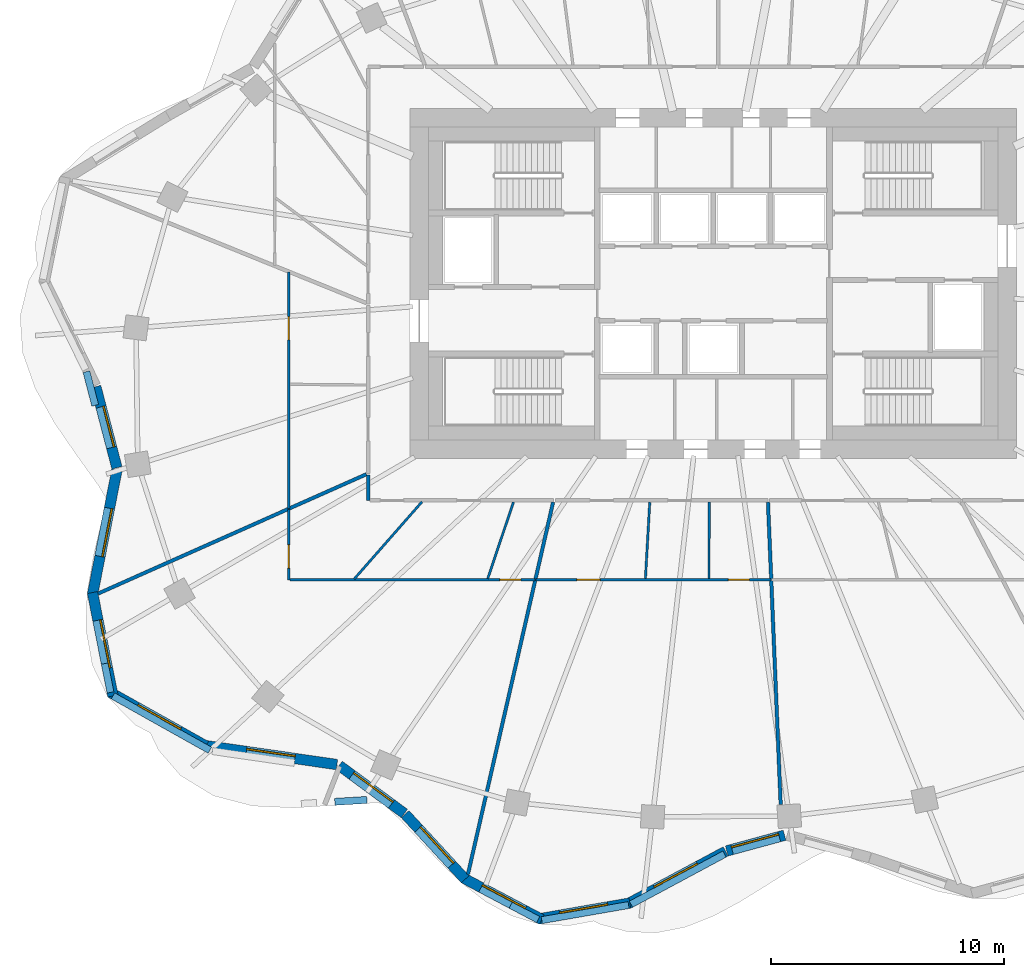
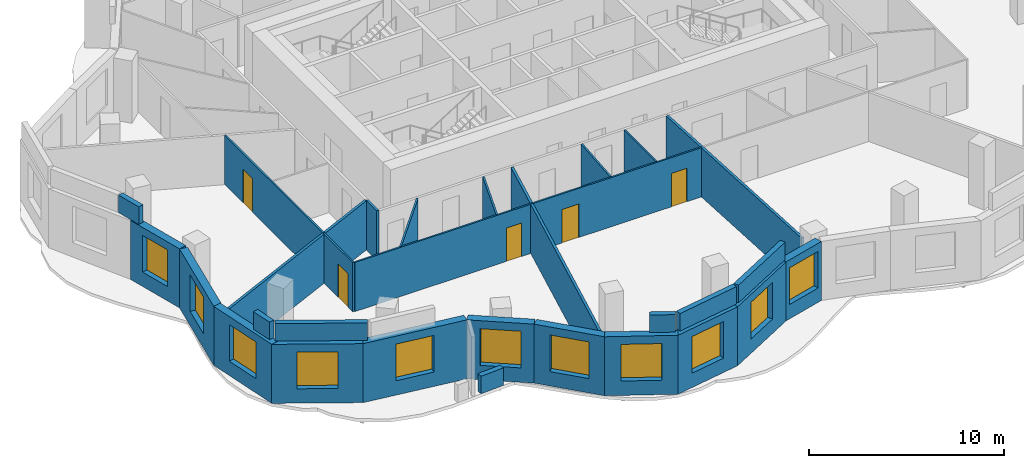
# One storey, part 3 of 10: 30 walls, 11 windows, 5 doors, 16 openings.
"""IFC4 building model written with IfcOpenShell, lengths in metres."""

import ifcopenshell
import ifcopenshell.guid

model = None  # the IFC model being written
_history = None  # IfcOwnerHistory: only IFC2X3 demands one
_inside = {}  # id of a spatial element -> (the spatial element, [elements in it])
_under = {}  # id of a project, library or spatial element -> (it, [spatial elements below it])
_declared = {}  # id of a project -> (the project, [libraries it declares])
_typed = {}  # id of a type object -> (the type object, [elements of that type])
_made_of = {}  # id of a material, layer set ... -> (it, [elements and type objects made of it])


def new_model(schema):
    """Start an empty IFC model of exactly this schema.

    Asked for "IFC4X3", IfcOpenShell would pick the latest addendum, in which some entities
    have other attributes; the version numbers below select the first issue.
    IFC2X3 requires an IfcOwnerHistory on every rooted entity: one is made here for all.
    """
    global model, _history
    if schema == "IFC4X3":
        model = ifcopenshell.file(schema_version=(4, 3, 0, 0))
    else:
        model = ifcopenshell.file(schema=schema)
    _inside.clear()
    _under.clear()
    _declared.clear()
    _typed.clear()
    _made_of.clear()
    _history = None
    if model.schema == "IFC2X3":
        org = make("IfcOrganization", Name="unknown")
        user = make(
            "IfcPersonAndOrganization",
            ThePerson=make("IfcPerson", FamilyName="unknown"),
            TheOrganization=org,
        )
        app = make(
            "IfcApplication",
            ApplicationDeveloper=org,
            Version="unknown",
            ApplicationFullName="unknown",
            ApplicationIdentifier="unknown",
        )
        _history = make(
            "IfcOwnerHistory",
            OwningUser=user,
            OwningApplication=app,
            ChangeAction="ADDED",
            CreationDate=0,
        )
    return model


def make(cls, **values):
    """One entity of the class cls with the attributes given. An attribute that is None is left unset."""
    return model.create_entity(
        cls, **{name: value for name, value in values.items() if value is not None}
    )


def rooted(cls, **values):
    """An entity with a GlobalId (a new one), such as an element, a storey or a relation."""
    return make(cls, GlobalId=ifcopenshell.guid.new(), OwnerHistory=_history, **values)


def si_unit(unit_type, name, prefix=None):
    """IfcSIUnit, for example si_unit("LENGTHUNIT", "METRE", prefix="MILLI")."""
    return make("IfcSIUnit", UnitType=unit_type, Prefix=prefix, Name=name)


def assignment(units):
    """IfcUnitAssignment: the units of a project."""
    return None if units is None else make("IfcUnitAssignment", Units=units)


def point(xyz):
    """IfcCartesianPoint."""
    return None if xyz is None else make("IfcCartesianPoint", Coordinates=xyz)


def direction(xyz):
    """IfcDirection."""
    return None if xyz is None else make("IfcDirection", DirectionRatios=xyz)


def frame(location, z_axis=None, x_axis=None):
    """IfcAxis2Placement3D, a coordinate frame: its origin and axes. An axis left out is left unset."""
    return make(
        "IfcAxis2Placement3D",
        Location=point(location),
        Axis=direction(z_axis),
        RefDirection=direction(x_axis),
    )


def frame_2d(location, x_axis=None):
    """IfcAxis2Placement2D, a coordinate frame in the plane: its origin and x axis."""
    return make(
        "IfcAxis2Placement2D", Location=point(location), RefDirection=direction(x_axis)
    )


def origin():
    """The frame at (0, 0, 0) with its axes left unset."""
    return frame((0.0, 0.0, 0.0))


def place(relative_to, where):
    """IfcLocalPlacement: puts the frame where relative to a parent placement (None: the world)."""
    return make(
        "IfcLocalPlacement", PlacementRelTo=relative_to, RelativePlacement=where
    )


def context(
    kind, dimensions, precision=None, world=None, true_north=None, identifier=None
):
    """IfcGeometricRepresentationContext, for example the 3D "Model" context."""
    return make(
        "IfcGeometricRepresentationContext",
        ContextIdentifier=identifier,
        ContextType=kind,
        CoordinateSpaceDimension=dimensions,
        Precision=precision,
        WorldCoordinateSystem=world,
        TrueNorth=true_north,
    )


def subcontext(parent, identifier, kind, view, scale=None):
    """IfcGeometricRepresentationSubContext, for example "Body" below "Model"."""
    return make(
        "IfcGeometricRepresentationSubContext",
        ContextIdentifier=identifier,
        ContextType=kind,
        ParentContext=parent,
        TargetScale=scale,
        TargetView=view,
    )


def project(units=None, contexts=None):
    """IfcProject with its units and contexts."""
    return rooted(
        "IfcProject",
        Name="project",
        RepresentationContexts=contexts,
        UnitsInContext=assignment(units),
    )


def spatial(cls, under=None, at=None, **own):
    """A site, building, storey or space (cls), placed at a placement, below another one or the project."""
    s = rooted(cls, ObjectPlacement=at, **own)
    if under is not None:
        _under.setdefault(under.id(), (under, []))[1].append(s)
    return s


def profile(cls, at=None, kind="AREA", **sizes):
    """A parametric profile (cls). Its sizes go by their IFC names, for example OverallWidth=200.0."""
    return make(cls, ProfileType=kind, Position=at, **sizes)


def rectangle(**sizes):
    """IfcRectangleProfileDef."""
    return profile("IfcRectangleProfileDef", **sizes)


def extrude(swept, where, along, depth):
    """IfcExtrudedAreaSolid: the profile swept, set in the frame where, extruded along a direction by depth."""
    return make(
        "IfcExtrudedAreaSolid",
        SweptArea=swept,
        Position=where,
        ExtrudedDirection=direction(along),
        Depth=depth,
    )


def shape(context_of_items, identifier, shape_type, items):
    """IfcShapeRepresentation: the items that make up one representation, for example the "Body"."""
    return make(
        "IfcShapeRepresentation",
        ContextOfItems=context_of_items,
        RepresentationIdentifier=identifier,
        RepresentationType=shape_type,
        Items=items,
    )


def material(Name=None, Category=None):
    """IfcMaterial."""
    return make("IfcMaterial", Name=Name, Category=Category)


def layer(
    of_material, thickness, ventilated=None, Name=None, Category=None, Priority=None
):
    """IfcMaterialLayer: one layer of a wall or slab, of a material (None: an air gap)."""
    return make(
        "IfcMaterialLayer",
        Material=of_material,
        LayerThickness=thickness,
        IsVentilated=ventilated,
        Name=Name,
        Category=Category,
        Priority=Priority,
    )


def layer_set(layers, Name=None):
    """IfcMaterialLayerSet."""
    return make("IfcMaterialLayerSet", MaterialLayers=layers, LayerSetName=Name)


def made_of(thing, what):
    """Note that an element or type object is made of a material, layer set ...; save() writes the relation."""
    if what is not None:
        _made_of.setdefault(what.id(), (what, []))[1].append(thing)
    return thing


def type_object(cls, material=None, **own):
    """A type object (cls), such as IfcWallType, which elements share."""
    return made_of(rooted(cls, **own), material)


def element(
    cls,
    number,
    at=None,
    inside=None,
    cuts=None,
    type_object=None,
    material=None,
    context=None,
    identifier="Body",
    shape_type=None,
    held_by="IfcProductDefinitionShape",
    body=None,
    shapes=None,
    **own,
):
    """One element of the class cls, such as IfcWall. Its Tag is "e" and its number.

    at: its placement. inside: the storey or other place that contains it. cuts: it is an
    opening in that element (IfcRelVoidsElement). A single representation is given by context,
    identifier, shape_type and body (its items); several are given by shapes. held_by: the class
    of the entity that holds the representations. save() writes the other relations.
    """
    e = rooted(cls, Tag="e%d" % number, ObjectPlacement=at, **own)
    if body is not None:
        shapes = [shape(context, identifier, shape_type, body)]
    if shapes is not None:
        e.Representation = make(held_by, Representations=shapes)
    if inside is not None:
        _inside.setdefault(inside.id(), (inside, []))[1].append(e)
    if cuts is not None:
        rooted(
            "IfcRelVoidsElement", RelatingBuildingElement=cuts, RelatedOpeningElement=e
        )
    if type_object is not None:
        _typed.setdefault(type_object.id(), (type_object, []))[1].append(e)
    return made_of(e, material)


def fill(opening, filler):
    """IfcRelFillsElement: the door or window that sits in an opening."""
    return rooted(
        "IfcRelFillsElement",
        RelatingOpeningElement=opening,
        RelatedBuildingElement=filler,
    )


def aggregate(whole, parts):
    """IfcRelAggregates: a whole, such as a stair, and the parts it consists of."""
    return rooted("IfcRelAggregates", RelatingObject=whole, RelatedObjects=parts)


def save(model, path):
    """Write the relations noted so far, then the file.

    IfcRelAggregates (storeys below a building ...), IfcRelContainedInSpatialStructure (elements
    in a storey), IfcRelDefinesByType, IfcRelAssociatesMaterial and IfcRelDeclares: one each for
    every whole, place, type object, material and project.
    """
    for whole, parts in _under.values():
        aggregate(whole, parts)
    for where, things in _inside.values():
        rooted(
            "IfcRelContainedInSpatialStructure",
            RelatedElements=things,
            RelatingStructure=where,
        )
    for kind, things in _typed.values():
        rooted("IfcRelDefinesByType", RelatedObjects=things, RelatingType=kind)
    for what, things in _made_of.values():
        rooted("IfcRelAssociatesMaterial", RelatedObjects=things, RelatingMaterial=what)
    for by, libraries in _declared.values():
        rooted("IfcRelDeclares", RelatingContext=by, RelatedDefinitions=libraries)
    model.write(path)


model = new_model("IFC4")

# Units and contexts
model_context = context("Model", 3, precision=1e-05, world=origin(), true_north=direction((0.0, 1.0)))
body_context = subcontext(model_context, "Body", "Model", "MODEL_VIEW")
ifc_project = project(units=[si_unit("LENGTHUNIT", "METRE"), si_unit("AREAUNIT", "SQUARE_METRE"), si_unit("VOLUMEUNIT", "CUBIC_METRE"), si_unit("PLANEANGLEUNIT", "RADIAN"), si_unit("MASSUNIT", "GRAM", prefix="KILO")], contexts=[model_context])

# Site, building, storey
site_placement = place(None, origin())
site = spatial("IfcSite", under=ifc_project, at=site_placement, CompositionType="ELEMENT")
building_placement = place(site_placement, origin())
building = spatial("IfcBuilding", under=site, at=building_placement, Name="Rubra Terraces Tower", CompositionType="ELEMENT")
storey_placement = place(building_placement, frame((0.0, 0.0, 256.5)))
storey = spatial("IfcBuildingStorey", under=building, at=storey_placement, Name="L63", CompositionType="ELEMENT", Elevation=256.5)

# Wall
ifc_material_1 = material(Name="Brick masonry red-brown", Category="masonry")
ifc_layer_1 = layer(ifc_material_1, 0.300048828125)
ifc_layer_set_1 = layer_set([ifc_layer_1], Name="Brick masonry red-brown")
wall_type_1 = type_object("IfcWallType", Name="Brick edge guard 300", PredefinedType="PARAPET", material=ifc_layer_set_1)
wall_1_placement = place(storey_placement, frame((-14.84912109375, -17.634033203125, 0.0), z_axis=(0.0, 0.0, 1.0), x_axis=(-0.998215844774, -0.059708686491, 0.0)))
element("IfcWall", 1, at=wall_1_placement, inside=storey, type_object=wall_type_1, Name="Edge guard L63.1", PredefinedType="PARAPET", context=body_context, shape_type="SweptSolid", body=[
    extrude(rectangle(XDim=1.3779296875, YDim=0.300048828125, at=frame_2d((0.68896484375, 0.0))), origin(), (0.0, 0.0, 1.0), 1.10009765625),
])

# Wall, opening, window
ifc_layer_2 = layer(ifc_material_1, 0.449951171875)
ifc_layer_set_2 = layer_set([ifc_layer_2], Name="Brick masonry red-brown")
wall_type_2 = type_object("IfcWallType", Name="Brick facade wall 450", PredefinedType="SOLIDWALL", material=ifc_layer_set_2)
wall_2_placement = place(storey_placement, frame((-26.469482421875, 0.0791015625, 0.0), z_axis=(0.0, 0.0, 1.0), x_axis=(0.252446779859, -0.967610780913, 0.0)))
wall_2 = element("IfcWall", 2, at=wall_2_placement, inside=storey, type_object=wall_type_2, Name="Facade wall L63 bay 21", PredefinedType="SOLIDWALL", context=body_context, shape_type="SweptSolid", body=[
    extrude(rectangle(XDim=3.5947265625, YDim=0.449951171875, at=frame_2d((1.79736328125, 0.0))), origin(), (0.0, 0.0, 1.0), 3.699951171875),
])
opening_1_placement = place(wall_2_placement, frame((0.897216796875, 0.0, 0.89990234375)))
opening_1 = element("IfcOpeningElement", 3, at=opening_1_placement, cuts=wall_2, Name="Opening W6B", PredefinedType="OPENING", context=body_context, shape_type="SweptSolid", body=[
    extrude(rectangle(XDim=1.800048828125, YDim=2.300048828125, at=frame_2d((0.89990234375, 1.14990234375))), frame((0.0, 0.23486328125, 0.0), z_axis=(0.0, -1.0, 0.0), x_axis=(1.0, 0.0, 0.0)), (0.0, 0.0, 1.0), 0.469970703125),
])
ifc_material_2 = material(Name="Clear glass in aluminium frame", Category="aluminium")
window_type_1 = type_object("IfcWindowType", Name="Fixed deep-set window at wind fin tall storey 1800 x 2300", PartitioningType="SINGLE_PANEL", PredefinedType="WINDOW", material=ifc_material_2)
window_1_placement = place(opening_1_placement, origin())
window_1 = element("IfcWindow", 4, at=window_1_placement, inside=storey, type_object=window_type_1, Name="Window L63 bay 21", OverallHeight=2.300048828125, OverallWidth=1.800048828125, PartitioningType="SINGLE_PANEL", PredefinedType="WINDOW", context=body_context, shape_type="SweptSolid", body=[
    extrude(rectangle(XDim=1.800048828125, YDim=2.300048828125, at=frame_2d((0.89990234375, 1.14990234375))), frame((0.0, 0.135009765625, 0.0), z_axis=(0.0, -1.0, 0.0), x_axis=(1.0, 0.0, 0.0)), (0.0, 0.0, 1.0), 0.06005859375),
])
fill(opening_1, window_1)

wall_3_placement = place(storey_placement, frame((-25.561279296875, -3.490478515625, 0.0), z_axis=(0.0, 0.0, 1.0), x_axis=(-0.192494026297, -0.981298145234, 0.0)))
wall_3 = element("IfcWall", 5, at=wall_3_placement, inside=storey, type_object=wall_type_2, Name="Facade wall L63 bay 22", PredefinedType="SOLIDWALL", context=body_context, shape_type="SweptSolid", body=[
    extrude(rectangle(XDim=5.446044921875, YDim=0.449951171875, at=frame_2d((2.72314453125, 0.0))), origin(), (0.0, 0.0, 1.0), 3.699951171875),
])
opening_2_placement = place(wall_3_placement, frame((1.673095703125, 0.0, 0.89990234375)))
opening_2 = element("IfcOpeningElement", 6, at=opening_2_placement, cuts=wall_3, Name="Opening W1B", PredefinedType="OPENING", context=body_context, shape_type="SweptSolid", body=[
    extrude(rectangle(XDim=2.10009765625, YDim=2.300048828125, at=frame_2d((1.050048828125, 1.14990234375))), frame((0.0, 0.23486328125, 0.0), z_axis=(0.0, -1.0, 0.0), x_axis=(1.0, 0.0, 0.0)), (0.0, 0.0, 1.0), 0.469970703125),
])
window_type_2 = type_object("IfcWindowType", Name="Fixed deep-set window tall storey 2100 x 2300", PartitioningType="SINGLE_PANEL", PredefinedType="WINDOW", material=ifc_material_2)
window_2_placement = place(opening_2_placement, origin())
window_2 = element("IfcWindow", 7, at=window_2_placement, inside=storey, type_object=window_type_2, Name="Window L63 bay 22", OverallHeight=2.300048828125, OverallWidth=2.10009765625, PartitioningType="SINGLE_PANEL", PredefinedType="WINDOW", context=body_context, shape_type="SweptSolid", body=[
    extrude(rectangle(XDim=2.10009765625, YDim=2.300048828125, at=frame_2d((1.050048828125, 1.14990234375))), frame((0.0, 0.135009765625, 0.0), z_axis=(0.0, -1.0, 0.0), x_axis=(1.0, 0.0, 0.0)), (0.0, 0.0, 1.0), 0.06005859375),
])
fill(opening_2, window_2)

wall_4_placement = place(storey_placement, frame((-26.609619140625, -8.747802734375, 0.0), z_axis=(0.0, 0.0, 1.0), x_axis=(0.193923166402, -0.981016720312, 0.0)))
wall_4 = element("IfcWall", 8, at=wall_4_placement, inside=storey, type_object=wall_type_2, Name="Facade wall L63 bay 23", PredefinedType="SOLIDWALL", context=body_context, shape_type="SweptSolid", body=[
    extrude(rectangle(XDim=4.518310546875, YDim=0.449951171875, at=frame_2d((2.25927734375, 0.0))), origin(), (0.0, 0.0, 1.0), 3.699951171875),
])
opening_3_placement = place(wall_4_placement, frame((1.209228515625, 0.0, 0.89990234375)))
opening_3 = element("IfcOpeningElement", 9, at=opening_3_placement, cuts=wall_4, Name="Opening W1B", PredefinedType="OPENING", context=body_context, shape_type="SweptSolid", body=[
    extrude(rectangle(XDim=2.10009765625, YDim=2.300048828125, at=frame_2d((1.050048828125, 1.14990234375))), frame((0.0, 0.23486328125, 0.0), z_axis=(0.0, -1.0, 0.0), x_axis=(1.0, 0.0, 0.0)), (0.0, 0.0, 1.0), 0.469970703125),
])
window_3_placement = place(opening_3_placement, origin())
window_3 = element("IfcWindow", 10, at=window_3_placement, inside=storey, type_object=window_type_2, Name="Window L63 bay 23", OverallHeight=2.300048828125, OverallWidth=2.10009765625, PartitioningType="SINGLE_PANEL", PredefinedType="WINDOW", context=body_context, shape_type="SweptSolid", body=[
    extrude(rectangle(XDim=2.10009765625, YDim=2.300048828125, at=frame_2d((1.050048828125, 1.14990234375))), frame((0.0, 0.135009765625, 0.0), z_axis=(0.0, -1.0, 0.0), x_axis=(1.0, 0.0, 0.0)), (0.0, 0.0, 1.0), 0.06005859375),
])
fill(opening_3, window_3)

wall_5_placement = place(storey_placement, frame((-25.843994140625, -13.027587890625, 0.0), z_axis=(0.0, 0.0, 1.0), x_axis=(0.872346398261, -0.488888291373, 0.0)))
wall_5 = element("IfcWall", 11, at=wall_5_placement, inside=storey, type_object=wall_type_2, Name="Facade wall L63 bay 24", PredefinedType="SOLIDWALL", context=body_context, shape_type="SweptSolid", body=[
    extrude(rectangle(XDim=4.696044921875, YDim=0.449951171875, at=frame_2d((2.34814453125, 0.0))), origin(), (0.0, 0.0, 1.0), 3.699951171875),
])
opening_4_placement = place(wall_5_placement, frame((1.298095703125, 0.0, 0.89990234375)))
opening_4 = element("IfcOpeningElement", 12, at=opening_4_placement, cuts=wall_5, Name="Opening W1B", PredefinedType="OPENING", context=body_context, shape_type="SweptSolid", body=[
    extrude(rectangle(XDim=2.10009765625, YDim=2.300048828125, at=frame_2d((1.050048828125, 1.14990234375))), frame((0.0, 0.23486328125, 0.0), z_axis=(0.0, -1.0, 0.0), x_axis=(1.0, 0.0, 0.0)), (0.0, 0.0, 1.0), 0.469970703125),
])
window_4_placement = place(opening_4_placement, origin())
window_4 = element("IfcWindow", 13, at=window_4_placement, inside=storey, type_object=window_type_2, Name="Window L63 bay 24", OverallHeight=2.300048828125, OverallWidth=2.10009765625, PartitioningType="SINGLE_PANEL", PredefinedType="WINDOW", context=body_context, shape_type="SweptSolid", body=[
    extrude(rectangle(XDim=2.10009765625, YDim=2.300048828125, at=frame_2d((1.050048828125, 1.14990234375))), frame((0.0, 0.135009765625, 0.0), z_axis=(0.0, -1.0, 0.0), x_axis=(1.0, 0.0, 0.0)), (0.0, 0.0, 1.0), 0.06005859375),
])
fill(opening_4, window_4)

wall_6_placement = place(storey_placement, frame((-21.8251953125, -15.297119140625, 0.0), z_axis=(0.0, 0.0, 1.0), x_axis=(0.98971474215, -0.143054986527, 0.0)))
wall_6 = element("IfcWall", 14, at=wall_6_placement, inside=storey, type_object=wall_type_2, Name="Facade wall L63 bay 25", PredefinedType="SOLIDWALL", context=body_context, shape_type="SweptSolid", body=[
    extrude(rectangle(XDim=5.7529296875, YDim=0.449951171875, at=frame_2d((2.87646484375, 0.0))), origin(), (0.0, 0.0, 1.0), 3.699951171875),
])
opening_5_placement = place(wall_6_placement, frame((1.826416015625, 0.0, 0.89990234375)))
opening_5 = element("IfcOpeningElement", 15, at=opening_5_placement, cuts=wall_6, Name="Opening W1B", PredefinedType="OPENING", context=body_context, shape_type="SweptSolid", body=[
    extrude(rectangle(XDim=2.10009765625, YDim=2.300048828125, at=frame_2d((1.050048828125, 1.14990234375))), frame((0.0, 0.23486328125, 0.0), z_axis=(0.0, -1.0, 0.0), x_axis=(1.0, 0.0, 0.0)), (0.0, 0.0, 1.0), 0.469970703125),
])
window_5_placement = place(opening_5_placement, origin())
window_5 = element("IfcWindow", 16, at=window_5_placement, inside=storey, type_object=window_type_2, Name="Window L63 bay 25", OverallHeight=2.300048828125, OverallWidth=2.10009765625, PartitioningType="SINGLE_PANEL", PredefinedType="WINDOW", context=body_context, shape_type="SweptSolid", body=[
    extrude(rectangle(XDim=2.10009765625, YDim=2.300048828125, at=frame_2d((1.050048828125, 1.14990234375))), frame((0.0, 0.135009765625, 0.0), z_axis=(0.0, -1.0, 0.0), x_axis=(1.0, 0.0, 0.0)), (0.0, 0.0, 1.0), 0.06005859375),
])
fill(opening_5, window_5)

wall_7_placement = place(storey_placement, frame((-16.03564453125, -16.15771484375, 0.0), z_axis=(0.0, 0.0, 1.0), x_axis=(0.805181432967, -0.593028549064, 0.0)))
wall_7 = element("IfcWall", 17, at=wall_7_placement, inside=storey, type_object=wall_type_2, Name="Facade wall L63 bay 26", PredefinedType="SOLIDWALL", context=body_context, shape_type="SweptSolid", body=[
    extrude(rectangle(XDim=3.468505859375, YDim=0.449951171875, at=frame_2d((1.734375, 0.0))), origin(), (0.0, 0.0, 1.0), 3.699951171875),
])
opening_6_placement = place(wall_7_placement, frame((0.684326171875, 0.0, 0.89990234375)))
opening_6 = element("IfcOpeningElement", 18, at=opening_6_placement, cuts=wall_7, Name="Opening W1B", PredefinedType="OPENING", context=body_context, shape_type="SweptSolid", body=[
    extrude(rectangle(XDim=2.10009765625, YDim=2.300048828125, at=frame_2d((1.050048828125, 1.14990234375))), frame((0.0, 0.23486328125, 0.0), z_axis=(0.0, -1.0, 0.0), x_axis=(1.0, 0.0, 0.0)), (0.0, 0.0, 1.0), 0.469970703125),
])
window_6_placement = place(opening_6_placement, origin())
window_6 = element("IfcWindow", 19, at=window_6_placement, inside=storey, type_object=window_type_2, Name="Window L63 bay 26", OverallHeight=2.300048828125, OverallWidth=2.10009765625, PartitioningType="SINGLE_PANEL", PredefinedType="WINDOW", context=body_context, shape_type="SweptSolid", body=[
    extrude(rectangle(XDim=2.10009765625, YDim=2.300048828125, at=frame_2d((1.050048828125, 1.14990234375))), frame((0.0, 0.135009765625, 0.0), z_axis=(0.0, -1.0, 0.0), x_axis=(1.0, 0.0, 0.0)), (0.0, 0.0, 1.0), 0.06005859375),
])
fill(opening_6, window_6)

wall_8_placement = place(storey_placement, frame((-13.20947265625, -18.242919921875, 0.0), z_axis=(0.0, 0.0, 1.0), x_axis=(0.677612152497, -0.735419452278, 0.0)))
wall_8 = element("IfcWall", 20, at=wall_8_placement, inside=storey, type_object=wall_type_2, Name="Facade wall L63 bay 27", PredefinedType="SOLIDWALL", context=body_context, shape_type="SweptSolid", body=[
    extrude(rectangle(XDim=3.796875, YDim=0.449951171875, at=frame_2d((1.8984375, 0.0))), origin(), (0.0, 0.0, 1.0), 3.699951171875),
])
opening_7_placement = place(wall_8_placement, frame((0.848388671875, 0.0, 0.89990234375)))
opening_7 = element("IfcOpeningElement", 21, at=opening_7_placement, cuts=wall_8, Name="Opening W1B", PredefinedType="OPENING", context=body_context, shape_type="SweptSolid", body=[
    extrude(rectangle(XDim=2.10009765625, YDim=2.300048828125, at=frame_2d((1.050048828125, 1.14990234375))), frame((0.0, 0.23486328125, 0.0), z_axis=(0.0, -1.0, 0.0), x_axis=(1.0, 0.0, 0.0)), (0.0, 0.0, 1.0), 0.469970703125),
])
window_7_placement = place(opening_7_placement, origin())
window_7 = element("IfcWindow", 22, at=window_7_placement, inside=storey, type_object=window_type_2, Name="Window L63 bay 27", OverallHeight=2.300048828125, OverallWidth=2.10009765625, PartitioningType="SINGLE_PANEL", PredefinedType="WINDOW", context=body_context, shape_type="SweptSolid", body=[
    extrude(rectangle(XDim=2.10009765625, YDim=2.300048828125, at=frame_2d((1.050048828125, 1.14990234375))), frame((0.0, 0.135009765625, 0.0), z_axis=(0.0, -1.0, 0.0), x_axis=(1.0, 0.0, 0.0)), (0.0, 0.0, 1.0), 0.06005859375),
])
fill(opening_7, window_7)

wall_9_placement = place(storey_placement, frame((-10.692626953125, -20.9931640625, 0.0), z_axis=(0.0, 0.0, 1.0), x_axis=(0.883817790726, -0.46783128668, 0.0)))
wall_9 = element("IfcWall", 23, at=wall_9_placement, inside=storey, type_object=wall_type_2, Name="Facade wall L63 bay 28", PredefinedType="SOLIDWALL", context=body_context, shape_type="SweptSolid", body=[
    extrude(rectangle(XDim=3.776611328125, YDim=0.449951171875, at=frame_2d((1.88818359375, 0.0))), origin(), (0.0, 0.0, 1.0), 3.699951171875),
])
opening_8_placement = place(wall_9_placement, frame((0.83837890625, 0.0, 0.89990234375)))
opening_8 = element("IfcOpeningElement", 24, at=opening_8_placement, cuts=wall_9, Name="Opening W1B", PredefinedType="OPENING", context=body_context, shape_type="SweptSolid", body=[
    extrude(rectangle(XDim=2.10009765625, YDim=2.300048828125, at=frame_2d((1.050048828125, 1.14990234375))), frame((0.0, 0.23486328125, 0.0), z_axis=(0.0, -1.0, 0.0), x_axis=(1.0, 0.0, 0.0)), (0.0, 0.0, 1.0), 0.469970703125),
])
window_8_placement = place(opening_8_placement, origin())
window_8 = element("IfcWindow", 25, at=window_8_placement, inside=storey, type_object=window_type_2, Name="Window L63 bay 28", OverallHeight=2.300048828125, OverallWidth=2.10009765625, PartitioningType="SINGLE_PANEL", PredefinedType="WINDOW", context=body_context, shape_type="SweptSolid", body=[
    extrude(rectangle(XDim=2.10009765625, YDim=2.300048828125, at=frame_2d((1.050048828125, 1.14990234375))), frame((0.0, 0.135009765625, 0.0), z_axis=(0.0, -1.0, 0.0), x_axis=(1.0, 0.0, 0.0)), (0.0, 0.0, 1.0), 0.06005859375),
])
fill(opening_8, window_8)

wall_10_placement = place(storey_placement, frame((-7.49853515625, -22.7373046875, 0.0), z_axis=(0.0, 0.0, 1.0), x_axis=(0.98521220506, 0.171338585849, 0.0)))
wall_10 = element("IfcWall", 26, at=wall_10_placement, inside=storey, type_object=wall_type_2, Name="Facade wall L63 bay 29", PredefinedType="SOLIDWALL", context=body_context, shape_type="SweptSolid", body=[
    extrude(rectangle(XDim=3.979736328125, YDim=0.449951171875, at=frame_2d((1.98974609375, 0.0))), origin(), (0.0, 0.0, 1.0), 3.699951171875),
])
opening_9_placement = place(wall_10_placement, frame((0.93994140625, 0.0, 0.89990234375)))
opening_9 = element("IfcOpeningElement", 27, at=opening_9_placement, cuts=wall_10, Name="Opening W1B", PredefinedType="OPENING", context=body_context, shape_type="SweptSolid", body=[
    extrude(rectangle(XDim=2.10009765625, YDim=2.300048828125, at=frame_2d((1.050048828125, 1.14990234375))), frame((0.0, 0.23486328125, 0.0), z_axis=(0.0, -1.0, 0.0), x_axis=(1.0, 0.0, 0.0)), (0.0, 0.0, 1.0), 0.469970703125),
])
window_9_placement = place(opening_9_placement, origin())
window_9 = element("IfcWindow", 28, at=window_9_placement, inside=storey, type_object=window_type_2, Name="Window L63 bay 29", OverallHeight=2.300048828125, OverallWidth=2.10009765625, PartitioningType="SINGLE_PANEL", PredefinedType="WINDOW", context=body_context, shape_type="SweptSolid", body=[
    extrude(rectangle(XDim=2.10009765625, YDim=2.300048828125, at=frame_2d((1.050048828125, 1.14990234375))), frame((0.0, 0.135009765625, 0.0), z_axis=(0.0, -1.0, 0.0), x_axis=(1.0, 0.0, 0.0)), (0.0, 0.0, 1.0), 0.06005859375),
])
fill(opening_9, window_9)

wall_11_placement = place(storey_placement, frame((-3.6455078125, -22.07861328125, 0.0), z_axis=(0.0, 0.0, 1.0), x_axis=(0.881279133897, 0.472596115259, 0.0)))
wall_11 = element("IfcWall", 29, at=wall_11_placement, inside=storey, type_object=wall_type_2, Name="Facade wall L63 bay 30", PredefinedType="SOLIDWALL", context=body_context, shape_type="SweptSolid", body=[
    extrude(rectangle(XDim=4.736572265625, YDim=0.449951171875, at=frame_2d((2.3681640625, 0.0))), origin(), (0.0, 0.0, 1.0), 3.699951171875),
])
opening_10_placement = place(wall_11_placement, frame((1.318115234375, 0.0, 0.89990234375)))
opening_10 = element("IfcOpeningElement", 30, at=opening_10_placement, cuts=wall_11, Name="Opening W1B", PredefinedType="OPENING", context=body_context, shape_type="SweptSolid", body=[
    extrude(rectangle(XDim=2.10009765625, YDim=2.300048828125, at=frame_2d((1.050048828125, 1.14990234375))), frame((0.0, 0.23486328125, 0.0), z_axis=(0.0, -1.0, 0.0), x_axis=(1.0, 0.0, 0.0)), (0.0, 0.0, 1.0), 0.469970703125),
])
window_10_placement = place(opening_10_placement, origin())
window_10 = element("IfcWindow", 31, at=window_10_placement, inside=storey, type_object=window_type_2, Name="Window L63 bay 30", OverallHeight=2.300048828125, OverallWidth=2.10009765625, PartitioningType="SINGLE_PANEL", PredefinedType="WINDOW", context=body_context, shape_type="SweptSolid", body=[
    extrude(rectangle(XDim=2.10009765625, YDim=2.300048828125, at=frame_2d((1.050048828125, 1.14990234375))), frame((0.0, 0.135009765625, 0.0), z_axis=(0.0, -1.0, 0.0), x_axis=(1.0, 0.0, 0.0)), (0.0, 0.0, 1.0), 0.06005859375),
])
fill(opening_10, window_10)

wall_12_placement = place(storey_placement, frame((0.576171875, -19.8212890625, 0.0), z_axis=(0.0, 0.0, 1.0), x_axis=(0.965009398019, 0.262215296532, 0.0)))
wall_12 = element("IfcWall", 32, at=wall_12_placement, inside=storey, type_object=wall_type_2, Name="Facade wall L63 bay 31", PredefinedType="SOLIDWALL", context=body_context, shape_type="SweptSolid", body=[
    extrude(rectangle(XDim=2.565185546875, YDim=0.449951171875, at=frame_2d((1.28271484375, 0.0))), origin(), (0.0, 0.0, 1.0), 3.699951171875),
])
opening_11_placement = place(wall_12_placement, frame((0.232666015625, 0.0, 0.89990234375)))
opening_11 = element("IfcOpeningElement", 33, at=opening_11_placement, cuts=wall_12, Name="Opening W1B", PredefinedType="OPENING", context=body_context, shape_type="SweptSolid", body=[
    extrude(rectangle(XDim=2.10009765625, YDim=2.300048828125, at=frame_2d((1.050048828125, 1.14990234375))), frame((0.0, 0.23486328125, 0.0), z_axis=(0.0, -1.0, 0.0), x_axis=(1.0, 0.0, 0.0)), (0.0, 0.0, 1.0), 0.469970703125),
])
window_11_placement = place(opening_11_placement, origin())
window_11 = element("IfcWindow", 34, at=window_11_placement, inside=storey, type_object=window_type_2, Name="Window L63 bay 31", OverallHeight=2.300048828125, OverallWidth=2.10009765625, PartitioningType="SINGLE_PANEL", PredefinedType="WINDOW", context=body_context, shape_type="SweptSolid", body=[
    extrude(rectangle(XDim=2.10009765625, YDim=2.300048828125, at=frame_2d((1.050048828125, 1.14990234375))), frame((0.0, 0.135009765625, 0.0), z_axis=(0.0, -1.0, 0.0), x_axis=(1.0, 0.0, 0.0)), (0.0, 0.0, 1.0), 0.06005859375),
])
fill(opening_11, window_11)

# Walls
ifc_layer_3 = layer(ifc_material_1, 0.300048828125)
ifc_layer_set_3 = layer_set([ifc_layer_3], Name="Brick masonry red-brown")
wall_type_3 = type_object("IfcWallType", Name="Brick parapet 300", PredefinedType="PARAPET", material=ifc_layer_set_3)
wall_13_placement = place(storey_placement, frame((-26.869140625, 0.72021484375, 3.89990234375), z_axis=(0.0, 0.0, 1.0), x_axis=(0.252455198803, -0.967608584396, 0.0)))
element("IfcWall", 35, at=wall_13_placement, inside=storey, type_object=wall_type_3, Name="Parapet L63 bay 21", PredefinedType="PARAPET", context=body_context, shape_type="SweptSolid", body=[
    extrude(rectangle(XDim=1.4921875, YDim=0.300048828125, at=frame_2d((0.74609375, 0.0))), origin(), (0.0, 0.0, 1.0), 1.10009765625),
])
wall_14_placement = place(storey_placement, frame((-26.084228515625, -11.791748046875, 3.89990234375), z_axis=(0.0, 0.0, 1.0), x_axis=(0.193846183911, -0.981031934742, 0.0)))
element("IfcWall", 36, at=wall_14_placement, inside=storey, type_object=wall_type_3, Name="Parapet L63 bay 23", PredefinedType="PARAPET", context=body_context, shape_type="SweptSolid", body=[
    extrude(rectangle(XDim=1.261962890625, YDim=0.300048828125, at=frame_2d((0.630859375, 0.0))), origin(), (0.0, 0.0, 1.0), 1.10009765625),
])
wall_15_placement = place(storey_placement, frame((-25.733642578125, -13.175537109375, 3.89990234375), z_axis=(0.0, 0.0, 1.0), x_axis=(0.872345142407, -0.488890532245, 0.0)))
element("IfcWall", 37, at=wall_15_placement, inside=storey, type_object=wall_type_3, Name="Parapet L63 bay 24", PredefinedType="PARAPET", context=body_context, shape_type="SweptSolid", body=[
    extrude(rectangle(XDim=4.762939453125, YDim=0.300048828125, at=frame_2d((2.38134765625, 0.0))), origin(), (0.0, 0.0, 1.0), 1.10009765625),
])
wall_16_placement = place(storey_placement, frame((-8.681640625, -22.142578125, 3.89990234375), z_axis=(0.0, 0.0, 1.0), x_axis=(0.883787916347, -0.467887720419, 0.0)))
element("IfcWall", 38, at=wall_16_placement, inside=storey, type_object=wall_type_3, Name="Parapet L63 bay 28", PredefinedType="PARAPET", context=body_context, shape_type="SweptSolid", body=[
    extrude(rectangle(XDim=1.3291015625, YDim=0.300048828125, at=frame_2d((0.66455078125, 0.0))), origin(), (0.0, 0.0, 1.0), 1.10009765625),
])
wall_17_placement = place(storey_placement, frame((-7.35498046875, -22.78857421875, 3.89990234375), z_axis=(0.0, 0.0, 1.0), x_axis=(0.985197529684, 0.171422949176, 0.0)))
element("IfcWall", 39, at=wall_17_placement, inside=storey, type_object=wall_type_3, Name="Parapet L63 bay 29", PredefinedType="PARAPET", context=body_context, shape_type="SweptSolid", body=[
    extrude(rectangle(XDim=3.77978515625, YDim=0.300048828125, at=frame_2d((1.889892578125, 0.0))), origin(), (0.0, 0.0, 1.0), 1.10009765625),
])
wall_18_placement = place(storey_placement, frame((-3.52978515625, -22.105712890625, 3.89990234375), z_axis=(0.0, 0.0, 1.0), x_axis=(0.881258931682, 0.472633785643, 0.0)))
element("IfcWall", 40, at=wall_18_placement, inside=storey, type_object=wall_type_3, Name="Parapet L63 bay 30", PredefinedType="PARAPET", context=body_context, shape_type="SweptSolid", body=[
    extrude(rectangle(XDim=4.55029296875, YDim=0.300048828125, at=frame_2d((2.275146484375, 0.0))), origin(), (0.0, 0.0, 1.0), 1.10009765625),
])
ifc_material_3 = material(Name="Plasterboard on steel stud, mineral wool infill", Category="steel")
ifc_layer_4 = layer(ifc_material_3, 0.14990234375)
ifc_layer_set_4 = layer_set([ifc_layer_4], Name="Plasterboard on steel stud, mineral wool infill")
wall_type_4 = type_object("IfcWallType", Name="CORRIDOR PARTITION 150", PredefinedType="PARTITIONING", material=ifc_layer_set_4)
wall_19_placement = place(storey_placement, frame((-14.800048828125, -3.71875, 0.0), z_axis=(0.0, 0.0, 1.0), x_axis=(0.0, -1.0, 0.0)))
element("IfcWall", 41, at=wall_19_placement, inside=storey, type_object=wall_type_4, Name="PARTITION", PredefinedType="PARTITIONING", context=body_context, shape_type="SweptSolid", body=[
    extrude(rectangle(XDim=1.081298828125, YDim=0.14990234375, at=frame_2d((0.54052734375, 0.0))), origin(), (0.0, 0.0, 1.0), 3.083984375),
])

# Wall, opening, door
ifc_material_4 = material(Name="Plasterboard on steel stud", Category="steel")
ifc_layer_5 = layer(ifc_material_4, 0.10009765625)
ifc_layer_set_5 = layer_set([ifc_layer_5], Name="Plasterboard on steel stud")
wall_type_5 = type_object("IfcWallType", Name="ROOM PARTITION 100", PredefinedType="PARTITIONING", material=ifc_layer_set_5)
wall_20_placement = place(storey_placement, frame((-18.199951171875, -5.13427734375, 0.0), z_axis=(0.0, 0.0, 1.0), x_axis=(0.0, 1.0, 0.0)))
wall_20 = element("IfcWall", 42, at=wall_20_placement, inside=storey, type_object=wall_type_5, Name="PARTITION", PredefinedType="PARTITIONING", context=body_context, shape_type="SweptSolid", body=[
    extrude(rectangle(XDim=10.122314453125, YDim=0.10009765625, at=frame_2d((5.06103515625, 0.0))), origin(), (0.0, 0.0, 1.0), 3.083984375),
])
opening_12_placement = place(wall_20_placement, frame((7.217041015625, 0.0, 0.0)))
opening_12 = element("IfcOpeningElement", 43, at=opening_12_placement, cuts=wall_20, Name="Opening 63-115", PredefinedType="OPENING", context=body_context, shape_type="SweptSolid", body=[
    extrude(rectangle(XDim=1.0, YDim=2.10009765625, at=frame_2d((0.5, 1.050048828125))), frame((0.0, 0.06005859375, 0.0), z_axis=(0.0, -1.0, 0.0), x_axis=(1.0, 0.0, 0.0)), (0.0, 0.0, 1.0), 0.1201171875),
])
ifc_material_5 = material(Name="Painted timber door leaf", Category="wood")
door_type_1 = type_object("IfcDoorType", Name="ROOM DOOR 1000 X 2100", OperationType="SINGLE_SWING_LEFT", PredefinedType="DOOR", material=ifc_material_5)
door_1_placement = place(opening_12_placement, origin())
door_1 = element("IfcDoor", 44, at=door_1_placement, inside=storey, type_object=door_type_1, Name="DOOR 63-115", OperationType="SINGLE_SWING_LEFT", OverallHeight=2.10009765625, OverallWidth=1.0, PredefinedType="DOOR", context=body_context, shape_type="SweptSolid", body=[
    extrude(rectangle(XDim=1.0, YDim=2.10009765625, at=frame_2d((0.5, 1.050048828125))), frame((0.0, 0.02490234375, 0.0), z_axis=(0.0, -1.0, 0.0), x_axis=(1.0, 0.0, 0.0)), (0.0, 0.0, 1.0), 0.050048828125),
])
fill(opening_12, door_1)

wall_21_placement = place(storey_placement, frame((-18.199951171875, -8.199951171875, 0.0), z_axis=(0.0, 0.0, 1.0), x_axis=(0.0, 1.0, 0.0)))
wall_21 = element("IfcWall", 45, at=wall_21_placement, inside=storey, type_object=wall_type_5, Name="PARTITION", PredefinedType="PARTITIONING", context=body_context, shape_type="SweptSolid", body=[
    extrude(rectangle(XDim=3.02197265625, YDim=0.10009765625, at=frame_2d((1.510986328125, 0.0))), origin(), (0.0, 0.0, 1.0), 3.083984375),
])
opening_13_placement = place(wall_21_placement, frame((0.5, 0.0, 0.0)))
opening_13 = element("IfcOpeningElement", 46, at=opening_13_placement, cuts=wall_21, Name="Opening 63-118", PredefinedType="OPENING", context=body_context, shape_type="SweptSolid", body=[
    extrude(rectangle(XDim=1.0, YDim=2.10009765625, at=frame_2d((0.5, 1.050048828125))), frame((0.0, 0.06005859375, 0.0), z_axis=(0.0, -1.0, 0.0), x_axis=(1.0, 0.0, 0.0)), (0.0, 0.0, 1.0), 0.1201171875),
])
door_2_placement = place(opening_13_placement, origin())
door_2 = element("IfcDoor", 47, at=door_2_placement, inside=storey, type_object=door_type_1, Name="DOOR 63-118", OperationType="SINGLE_SWING_RIGHT", OverallHeight=2.10009765625, OverallWidth=1.0, PredefinedType="DOOR", context=body_context, shape_type="SweptSolid", body=[
    extrude(rectangle(XDim=1.0, YDim=2.10009765625, at=frame_2d((0.5, 1.050048828125))), frame((0.0, 0.02490234375, 0.0), z_axis=(0.0, -1.0, 0.0), x_axis=(1.0, 0.0, 0.0)), (0.0, 0.0, 1.0), 0.050048828125),
])
fill(opening_13, door_2)

wall_22_placement = place(storey_placement, frame((-7.6494140625, -8.199951171875, 0.0), z_axis=(0.0, 0.0, 1.0), x_axis=(-1.0, 0.0, 0.0)))
wall_22 = element("IfcWall", 48, at=wall_22_placement, inside=storey, type_object=wall_type_5, Name="PARTITION", PredefinedType="PARTITIONING", context=body_context, shape_type="SweptSolid", body=[
    extrude(rectangle(XDim=10.50048828125, YDim=0.10009765625, at=frame_2d((5.250244140625, 0.0))), origin(), (0.0, 0.0, 1.0), 3.083984375),
])
opening_14_placement = place(wall_22_placement, frame((0.60009765625, 0.0, 0.0)))
opening_14 = element("IfcOpeningElement", 49, at=opening_14_placement, cuts=wall_22, Name="Opening 63-120", PredefinedType="OPENING", context=body_context, shape_type="SweptSolid", body=[
    extrude(rectangle(XDim=0.89990234375, YDim=2.10009765625, at=frame_2d((0.449951171875, 1.050048828125))), frame((0.0, 0.06005859375, 0.0), z_axis=(0.0, -1.0, 0.0), x_axis=(1.0, 0.0, 0.0)), (0.0, 0.0, 1.0), 0.1201171875),
])
door_type_2 = type_object("IfcDoorType", Name="ROOM DOOR 900 X 2100", OperationType="SINGLE_SWING_LEFT", PredefinedType="DOOR", material=ifc_material_5)
door_3_placement = place(opening_14_placement, origin())
door_3 = element("IfcDoor", 50, at=door_3_placement, inside=storey, type_object=door_type_2, Name="DOOR 63-120", OperationType="SINGLE_SWING_LEFT", OverallHeight=2.10009765625, OverallWidth=0.89990234375, PredefinedType="DOOR", context=body_context, shape_type="SweptSolid", body=[
    extrude(rectangle(XDim=0.89990234375, YDim=2.10009765625, at=frame_2d((0.449951171875, 1.050048828125))), frame((0.0, 0.02490234375, 0.0), z_axis=(0.0, -1.0, 0.0), x_axis=(1.0, 0.0, 0.0)), (0.0, 0.0, 1.0), 0.050048828125),
])
fill(opening_14, door_3)

# Walls
wall_23_placement = place(storey_placement, frame((-12.48681640625, -4.8564453125, 0.0), z_axis=(0.0, 0.0, 1.0), x_axis=(-0.659811872842, -0.751430830122, 0.0)))
element("IfcWall", 51, at=wall_23_placement, inside=storey, type_object=wall_type_5, Name="PARTITION", PredefinedType="PARTITIONING", context=body_context, shape_type="SweptSolid", body=[
    extrude(rectangle(XDim=4.3994140625, YDim=0.10009765625, at=frame_2d((2.19970703125, 0.0))), origin(), (0.0, 0.0, 1.0), 3.083984375),
])
wall_24_placement = place(storey_placement, frame((-8.566650390625, -4.87109375, 0.0), z_axis=(0.0, 0.0, 1.0), x_axis=(-0.319060884331, -0.947734220175, 0.0)))
element("IfcWall", 52, at=wall_24_placement, inside=storey, type_object=wall_type_5, Name="PARTITION", PredefinedType="PARTITIONING", context=body_context, shape_type="SweptSolid", body=[
    extrude(rectangle(XDim=3.46240234375, YDim=0.10009765625, at=frame_2d((1.731201171875, 0.0))), origin(), (0.0, 0.0, 1.0), 3.083984375),
])

# Wall, openings, doors
wall_25_placement = place(storey_placement, frame((2.46142578125, -8.199951171875, 0.0), z_axis=(0.0, 0.0, 1.0), x_axis=(-1.0, 0.0, 0.0)))
wall_25 = element("IfcWall", 53, at=wall_25_placement, inside=storey, type_object=wall_type_5, Name="PARTITION", PredefinedType="PARTITIONING", context=body_context, shape_type="SweptSolid", body=[
    extrude(rectangle(XDim=10.06982421875, YDim=0.10009765625, at=frame_2d((5.034912109375, 0.0))), origin(), (0.0, 0.0, 1.0), 3.083984375),
])
opening_15_placement = place(wall_25_placement, frame((7.31494140625, 0.0, 0.0)))
opening_15 = element("IfcOpeningElement", 54, at=opening_15_placement, cuts=wall_25, Name="Opening 63-122", PredefinedType="OPENING", context=body_context, shape_type="SweptSolid", body=[
    extrude(rectangle(XDim=1.0, YDim=2.10009765625, at=frame_2d((0.5, 1.050048828125))), frame((0.0, 0.06005859375, 0.0), z_axis=(0.0, -1.0, 0.0), x_axis=(1.0, 0.0, 0.0)), (0.0, 0.0, 1.0), 0.1201171875),
])
opening_16_placement = place(wall_25_placement, frame((0.912109375, 0.0, 0.0)))
opening_16 = element("IfcOpeningElement", 55, at=opening_16_placement, cuts=wall_25, Name="Opening 63-124", PredefinedType="OPENING", context=body_context, shape_type="SweptSolid", body=[
    extrude(rectangle(XDim=0.89990234375, YDim=2.10009765625, at=frame_2d((0.449951171875, 1.050048828125))), frame((0.0, 0.06005859375, 0.0), z_axis=(0.0, -1.0, 0.0), x_axis=(1.0, 0.0, 0.0)), (0.0, 0.0, 1.0), 0.1201171875),
])
door_4_placement = place(opening_15_placement, origin())
door_4 = element("IfcDoor", 56, at=door_4_placement, inside=storey, type_object=door_type_1, Name="DOOR 63-122", OperationType="SINGLE_SWING_LEFT", OverallHeight=2.10009765625, OverallWidth=1.0, PredefinedType="DOOR", context=body_context, shape_type="SweptSolid", body=[
    extrude(rectangle(XDim=1.0, YDim=2.10009765625, at=frame_2d((0.5, 1.050048828125))), frame((0.0, 0.02490234375, 0.0), z_axis=(0.0, -1.0, 0.0), x_axis=(1.0, 0.0, 0.0)), (0.0, 0.0, 1.0), 0.050048828125),
])
fill(opening_15, door_4)
door_5_placement = place(opening_16_placement, origin())
door_5 = element("IfcDoor", 57, at=door_5_placement, inside=storey, type_object=door_type_2, Name="DOOR 63-124", OperationType="SINGLE_SWING_LEFT", OverallHeight=2.10009765625, OverallWidth=0.89990234375, PredefinedType="DOOR", context=body_context, shape_type="SweptSolid", body=[
    extrude(rectangle(XDim=0.89990234375, YDim=2.10009765625, at=frame_2d((0.449951171875, 1.050048828125))), frame((0.0, 0.02490234375, 0.0), z_axis=(0.0, -1.0, 0.0), x_axis=(1.0, 0.0, 0.0)), (0.0, 0.0, 1.0), 0.050048828125),
])
fill(opening_16, door_5)

# Walls
wall_26_placement = place(storey_placement, frame((-2.72509765625, -4.875, 0.0), z_axis=(0.0, 0.0, 1.0), x_axis=(-0.056710673049, -0.998390654785, 0.0)))
element("IfcWall", 58, at=wall_26_placement, inside=storey, type_object=wall_type_5, Name="PARTITION", PredefinedType="PARTITIONING", context=body_context, shape_type="SweptSolid", body=[
    extrude(rectangle(XDim=3.280517578125, YDim=0.10009765625, at=frame_2d((1.64013671875, 0.0))), origin(), (0.0, 0.0, 1.0), 3.083984375),
])
wall_27_placement = place(storey_placement, frame((-0.1787109375, -4.875, 0.0), z_axis=(0.0, 0.0, 1.0), x_axis=(-0.00238556053, -0.999997154546, 0.0)))
element("IfcWall", 59, at=wall_27_placement, inside=storey, type_object=wall_type_5, Name="PARTITION", PredefinedType="PARTITIONING", context=body_context, shape_type="SweptSolid", body=[
    extrude(rectangle(XDim=3.27490234375, YDim=0.10009765625, at=frame_2d((1.637451171875, 0.0))), origin(), (0.0, 0.0, 1.0), 3.083984375),
])
ifc_layer_6 = layer(ifc_material_4, 0.14990234375)
ifc_layer_set_6 = layer_set([ifc_layer_6], Name="Plasterboard on steel stud")
wall_type_6 = type_object("IfcWallType", Name="ROOM PARTITION 150", PredefinedType="PARTITIONING", material=ifc_layer_set_6)
wall_28_placement = place(storey_placement, frame((-26.3671875, -8.789306640625, 0.0), z_axis=(0.0, 0.0, 1.0), x_axis=(0.913681107159, 0.40643183244, 0.0)))
element("IfcWall", 60, at=wall_28_placement, inside=storey, type_object=wall_type_6, Name="PARTITION", PredefinedType="PARTITIONING", context=body_context, shape_type="SweptSolid", body=[
    extrude(rectangle(XDim=12.585205078125, YDim=0.14990234375, at=frame_2d((6.29248046875, 0.0))), origin(), (0.0, 0.0, 1.0), 3.083984375),
])
wall_29_placement = place(storey_placement, frame((-10.518798828125, -20.8251953125, 0.0), z_axis=(0.0, 0.0, 1.0), x_axis=(0.223124554472, 0.974789943112, 0.0)))
element("IfcWall", 61, at=wall_29_placement, inside=storey, type_object=wall_type_6, Name="PARTITION", PredefinedType="PARTITIONING", context=body_context, shape_type="SweptSolid", body=[
    extrude(rectangle(XDim=16.36474609375, YDim=0.14990234375, at=frame_2d((8.182373046875, 0.0))), origin(), (0.0, 0.0, 1.0), 3.083984375),
])
wall_30_placement = place(storey_placement, frame((2.88671875, -17.83203125, 0.0), z_axis=(0.0, 0.0, 1.0), x_axis=(-0.042037723884, 0.999116024179, 0.0)))
element("IfcWall", 62, at=wall_30_placement, inside=storey, type_object=wall_type_6, Name="PARTITION", PredefinedType="PARTITIONING", context=body_context, shape_type="SweptSolid", body=[
    extrude(rectangle(XDim=12.968505859375, YDim=0.14990234375, at=frame_2d((6.484375, 0.0))), origin(), (0.0, 0.0, 1.0), 3.083984375),
])

save(model, "model.ifc")
